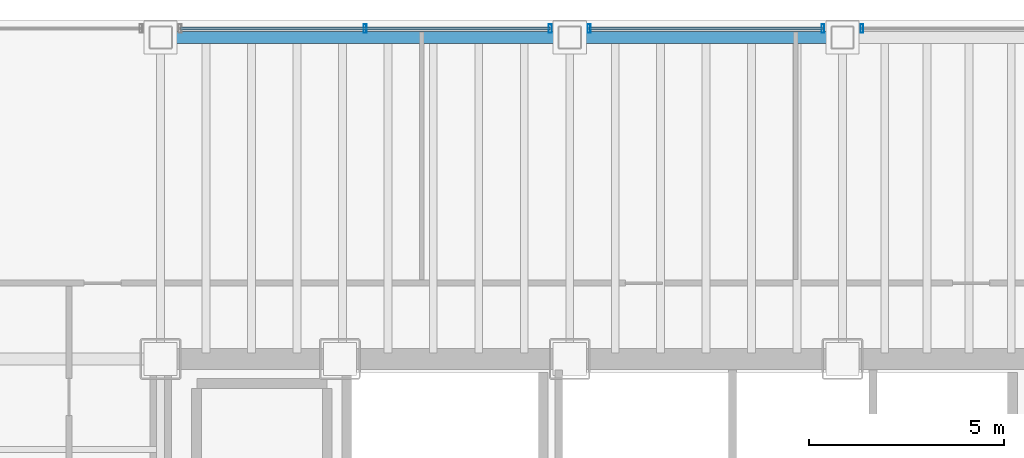
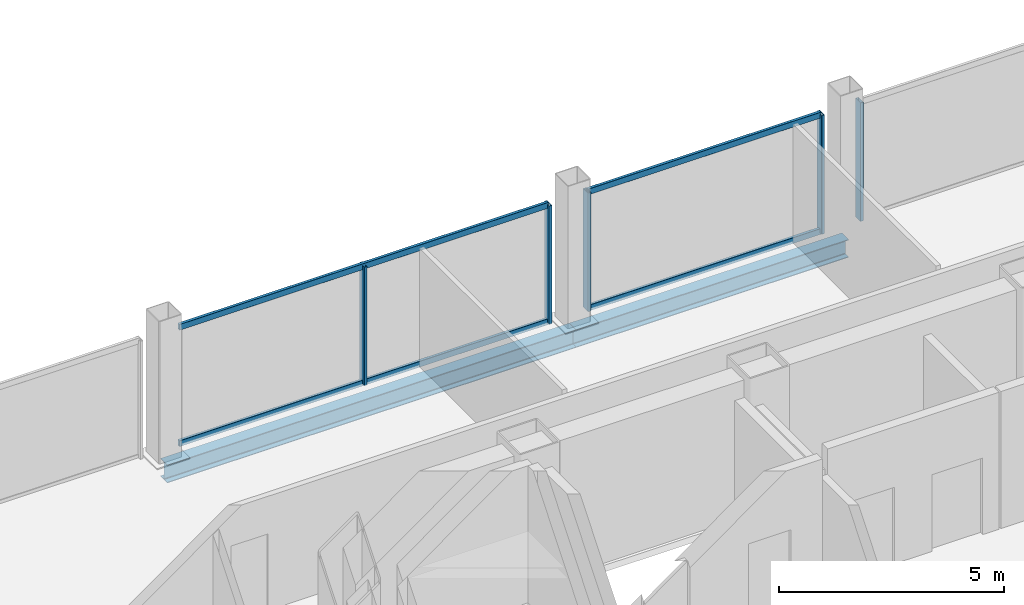
# One storey, part 15 of 21: 9 members, 2 beams, 3 elements without a shape of their own.
"""IFC4 building model written with IfcOpenShell, lengths in metres."""

from ifc_helpers import new_model, si_unit, direction, frame, origin, origin_2d, place, context, subcontext, project, spatial, hollow_rectangle, i_section, extrude, material, material_profile, profile_set, type_object, element, aggregate, save


model = new_model("IFC4")

# Units and contexts
model_context = context("Model", 3, precision=1e-05, world=origin(), true_north=direction((0.0, 1.0)))
body_context = subcontext(model_context, "Body", "Model", "MODEL_VIEW")
ifc_project = project(units=[si_unit("LENGTHUNIT", "METRE"), si_unit("AREAUNIT", "SQUARE_METRE"), si_unit("VOLUMEUNIT", "CUBIC_METRE"), si_unit("PLANEANGLEUNIT", "RADIAN"), si_unit("MASSUNIT", "GRAM", prefix="KILO")], contexts=[model_context])

# Site, building, storey
site_placement = place(None, origin())
site = spatial("IfcSite", under=ifc_project, at=site_placement, CompositionType="ELEMENT")
building_placement = place(site_placement, origin())
building = spatial("IfcBuilding", under=site, at=building_placement, Name="Noeulbin Bourse Tower", CompositionType="ELEMENT")
storey_placement = place(building_placement, frame((0.0, 0.0, 34.300048828125)))
storey = spatial("IfcBuildingStorey", under=building, at=storey_placement, Name="L08", CompositionType="ELEMENT", Elevation=34.300048828125)

# Beams
ifc_material_1 = material(Name="Steel S355", Category="steel")
ifc_material_profile_1 = material_profile(ifc_material_1, i_section(OverallWidth=0.300048828125, OverallDepth=0.488037109375, WebThickness=0.010986328125, FlangeThickness=0.01806640625, FilletRadius=0.02197265625, at=origin_2d()), Name="H-488x300x11x18", Category="LoadBearing")
ifc_profile_set_1 = profile_set([ifc_material_profile_1], Name="Steel S355")
beam_type = type_object("IfcBeamType", Name="BM-SPN-488", PredefinedType="SPANDREL", material=ifc_profile_set_1)
beam_1_placement = place(storey_placement, frame((13.5, 46.550048828125, -0.424072265625), z_axis=(1.0, 0.0, 0.0), x_axis=(0.0, 1.0, 0.0)))
element("IfcBeam", 1, at=beam_1_placement, inside=storey, type_object=beam_type, Name="North Spandrel L08-1", PredefinedType="SPANDREL", context=body_context, shape_type="SweptSolid", body=[
    extrude(i_section(OverallWidth=0.300048828125, OverallDepth=0.488037109375, WebThickness=0.010986328125, FlangeThickness=0.01806640625, FilletRadius=0.02197265625, at=origin_2d()), origin(), (0.0, 0.0, 1.0), 10.5),
])
beam_2_placement = place(storey_placement, frame((24.0, 46.550048828125, -0.424072265625), z_axis=(1.0, 0.0, 0.0), x_axis=(0.0, 1.0, 0.0)))
element("IfcBeam", 2, at=beam_2_placement, inside=storey, type_object=beam_type, Name="North Spandrel L08-2", PredefinedType="SPANDREL", context=body_context, shape_type="SweptSolid", body=[
    extrude(i_section(OverallWidth=0.300048828125, OverallDepth=0.488037109375, WebThickness=0.010986328125, FlangeThickness=0.01806640625, FilletRadius=0.02197265625, at=origin_2d()), origin(), (0.0, 0.0, 1.0), 7.0),
])

# Curtain wall, members
ifc_material_2 = material(Name="Dark Solar-Control Double Glazing", Category="glass")
curtain_wall_type = type_object("IfcCurtainWallType", Name="CW-SYS-2", PredefinedType="NOTDEFINED", material=ifc_material_2)
curtain_wall_1_placement = place(storey_placement, origin())
curtain_wall_1 = element("IfcCurtainWall", 3, at=curtain_wall_1_placement, inside=storey, type_object=curtain_wall_type, Name="Unitised Curtain Wall CW-L08-N-S2", PredefinedType="NOTDEFINED")
ifc_material_3 = material(Name="Anodised Aluminium 6063-T6", Category="aluminium")
ifc_material_profile_2 = material_profile(ifc_material_3, hollow_rectangle(XDim=0.074951171875, YDim=0.219970703125, WallThickness=0.0048828125, InnerFilletRadius=0.00244140625, OuterFilletRadius=0.0048828125, at=origin_2d()), Name="ALU-MULL-75x220x5", Category="LoadBearing")
ifc_profile_set_2 = profile_set([ifc_material_profile_2], Name="Anodised Aluminium 6063-T6")
member_type_1 = type_object("IfcMemberType", Name="CW-SYS-2-MUL", PredefinedType="MULLION", material=ifc_profile_set_2)
member_1_placement = place(storey_placement, frame((18.75, 46.780029296875, -0.02001953125), z_axis=(0.0, 0.0, 1.0), x_axis=(1.0, 0.0, 0.0)))
member_1 = element("IfcMember", 4, at=member_1_placement, type_object=member_type_1, Name="Curtain Wall Mullion CW-L08-N-S2-M01", PredefinedType="MULLION", context=body_context, shape_type="SweptSolid", body=[
    extrude(hollow_rectangle(XDim=0.074951171875, YDim=0.219970703125, WallThickness=0.0048828125, InnerFilletRadius=0.00244140625, OuterFilletRadius=0.0048828125, at=origin_2d()), origin(), (0.0, 0.0, 1.0), 3.219970703125),
])
member_2_placement = place(storey_placement, frame((23.5, 46.780029296875, -0.02001953125), z_axis=(0.0, 0.0, 1.0), x_axis=(1.0, 0.0, 0.0)))
member_2 = element("IfcMember", 5, at=member_2_placement, type_object=member_type_1, Name="Curtain Wall Mullion CW-L08-N-S2-M02", PredefinedType="MULLION", context=body_context, shape_type="SweptSolid", body=[
    extrude(hollow_rectangle(XDim=0.074951171875, YDim=0.219970703125, WallThickness=0.0048828125, InnerFilletRadius=0.00244140625, OuterFilletRadius=0.0048828125, at=origin_2d()), origin(), (0.0, 0.0, 1.0), 3.219970703125),
])

curtain_wall_2_placement = place(storey_placement, origin())
curtain_wall_2 = element("IfcCurtainWall", 6, at=curtain_wall_2_placement, inside=storey, type_object=curtain_wall_type, Name="Unitised Curtain Wall CW-L08-N-S3", PredefinedType="NOTDEFINED")
member_3_placement = place(storey_placement, frame((24.5, 46.780029296875, -0.02001953125), z_axis=(0.0, 0.0, 1.0), x_axis=(1.0, 0.0, 0.0)))
member_3 = element("IfcMember", 7, at=member_3_placement, type_object=member_type_1, Name="Curtain Wall Mullion CW-L08-N-S3-M00", PredefinedType="MULLION", context=body_context, shape_type="SweptSolid", body=[
    extrude(hollow_rectangle(XDim=0.074951171875, YDim=0.219970703125, WallThickness=0.0048828125, InnerFilletRadius=0.00244140625, OuterFilletRadius=0.0048828125, at=origin_2d()), origin(), (0.0, 0.0, 1.0), 3.219970703125),
])
member_4_placement = place(storey_placement, frame((30.5, 46.780029296875, -0.02001953125), z_axis=(0.0, 0.0, 1.0), x_axis=(1.0, 0.0, 0.0)))
member_4 = element("IfcMember", 8, at=member_4_placement, type_object=member_type_1, Name="Curtain Wall Mullion CW-L08-N-S3-M01", PredefinedType="MULLION", context=body_context, shape_type="SweptSolid", body=[
    extrude(hollow_rectangle(XDim=0.074951171875, YDim=0.219970703125, WallThickness=0.0048828125, InnerFilletRadius=0.00244140625, OuterFilletRadius=0.0048828125, at=origin_2d()), origin(), (0.0, 0.0, 1.0), 3.219970703125),
])

# Curtain wall, member
curtain_wall_3_placement = place(storey_placement, origin())
curtain_wall_3 = element("IfcCurtainWall", 9, at=curtain_wall_3_placement, inside=storey, type_object=curtain_wall_type, Name="Unitised Curtain Wall CW-L08-N-S4", PredefinedType="NOTDEFINED")
member_5_placement = place(storey_placement, frame((31.5, 46.780029296875, -0.02001953125), z_axis=(0.0, 0.0, 1.0), x_axis=(1.0, 0.0, 0.0)))
member_5 = element("IfcMember", 10, at=member_5_placement, type_object=member_type_1, Name="Curtain Wall Mullion CW-L08-N-S4-M00", PredefinedType="MULLION", context=body_context, shape_type="SweptSolid", body=[
    extrude(hollow_rectangle(XDim=0.074951171875, YDim=0.219970703125, WallThickness=0.0048828125, InnerFilletRadius=0.00244140625, OuterFilletRadius=0.0048828125, at=origin_2d()), origin(), (0.0, 0.0, 1.0), 3.219970703125),
])
aggregate(curtain_wall_3, [member_5])

# Member
ifc_material_profile_3 = material_profile(ifc_material_3, hollow_rectangle(XDim=0.074951171875, YDim=0.159912109375, WallThickness=0.0048828125, InnerFilletRadius=0.00244140625, OuterFilletRadius=0.0048828125, at=origin_2d()), Name="ALU-TRAN-75x160x5", Category="LoadBearing")
ifc_profile_set_3 = profile_set([ifc_material_profile_3], Name="Anodised Aluminium 6063-T6")
member_type_2 = type_object("IfcMemberType", Name="CW-SYS-2-TRN", PredefinedType="USERDEFINED", material=ifc_profile_set_3)
member_6_placement = place(storey_placement, frame((14.010009765625, 46.780029296875, 0.010009765625), z_axis=(1.0, 0.0, 0.0), x_axis=(0.0, 1.0, 0.0)))
member_6 = element("IfcMember", 11, at=member_6_placement, type_object=member_type_2, Name="Curtain Wall Transom CW-L08-N-S2-T00", ObjectType="TRANSOM", PredefinedType="USERDEFINED", context=body_context, shape_type="SweptSolid", body=[
    extrude(hollow_rectangle(XDim=0.074951171875, YDim=0.159912109375, WallThickness=0.0048828125, InnerFilletRadius=0.00244140625, OuterFilletRadius=0.0048828125, at=origin_2d()), origin(), (0.0, 0.0, 1.0), 9.47998046875),
])

member_7_placement = place(storey_placement, frame((14.010009765625, 46.780029296875, 3.169921875), z_axis=(1.0, 0.0, 0.0), x_axis=(0.0, 1.0, 0.0)))
member_7 = element("IfcMember", 12, at=member_7_placement, type_object=member_type_2, Name="Curtain Wall Transom CW-L08-N-S2-T01", ObjectType="TRANSOM", PredefinedType="USERDEFINED", context=body_context, shape_type="SweptSolid", body=[
    extrude(hollow_rectangle(XDim=0.074951171875, YDim=0.159912109375, WallThickness=0.0048828125, InnerFilletRadius=0.00244140625, OuterFilletRadius=0.0048828125, at=origin_2d()), origin(), (0.0, 0.0, 1.0), 9.47998046875),
])

aggregate(curtain_wall_1, [member_1, member_2, member_6, member_7])

member_8_placement = place(storey_placement, frame((24.510009765625, 46.780029296875, 0.010009765625), z_axis=(1.0, 0.0, 0.0), x_axis=(0.0, 1.0, 0.0)))
member_8 = element("IfcMember", 13, at=member_8_placement, type_object=member_type_2, Name="Curtain Wall Transom CW-L08-N-S3-T00", ObjectType="TRANSOM", PredefinedType="USERDEFINED", context=body_context, shape_type="SweptSolid", body=[
    extrude(hollow_rectangle(XDim=0.074951171875, YDim=0.159912109375, WallThickness=0.0048828125, InnerFilletRadius=0.00244140625, OuterFilletRadius=0.0048828125, at=origin_2d()), origin(), (0.0, 0.0, 1.0), 5.97998046875),
])

member_9_placement = place(storey_placement, frame((24.510009765625, 46.780029296875, 3.169921875), z_axis=(1.0, 0.0, 0.0), x_axis=(0.0, 1.0, 0.0)))
member_9 = element("IfcMember", 14, at=member_9_placement, type_object=member_type_2, Name="Curtain Wall Transom CW-L08-N-S3-T01", ObjectType="TRANSOM", PredefinedType="USERDEFINED", context=body_context, shape_type="SweptSolid", body=[
    extrude(hollow_rectangle(XDim=0.074951171875, YDim=0.159912109375, WallThickness=0.0048828125, InnerFilletRadius=0.00244140625, OuterFilletRadius=0.0048828125, at=origin_2d()), origin(), (0.0, 0.0, 1.0), 5.97998046875),
])

aggregate(curtain_wall_2, [member_3, member_4, member_8, member_9])

save(model, "model.ifc")
